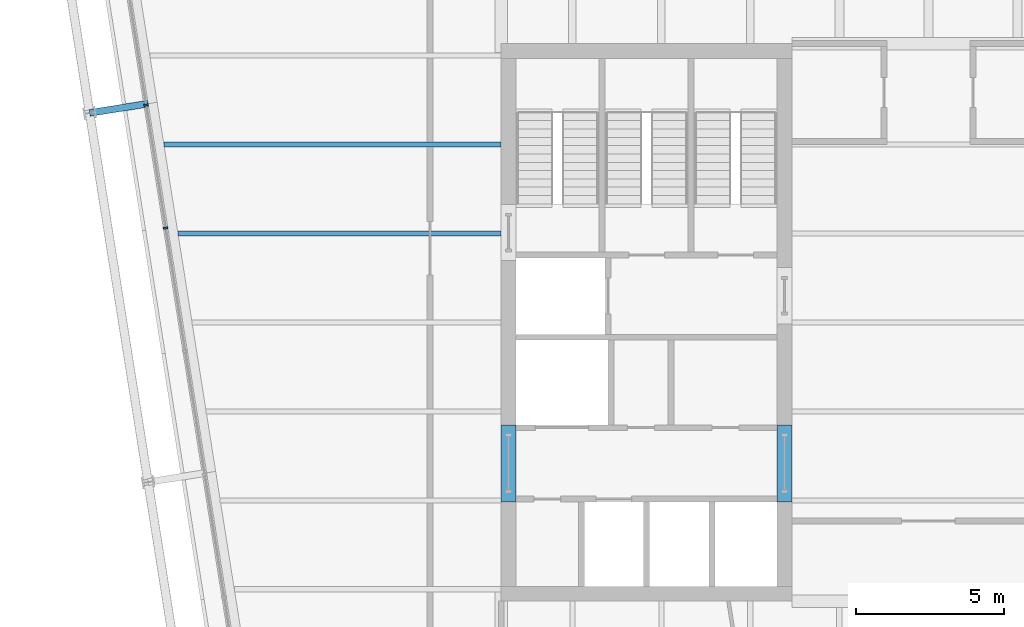
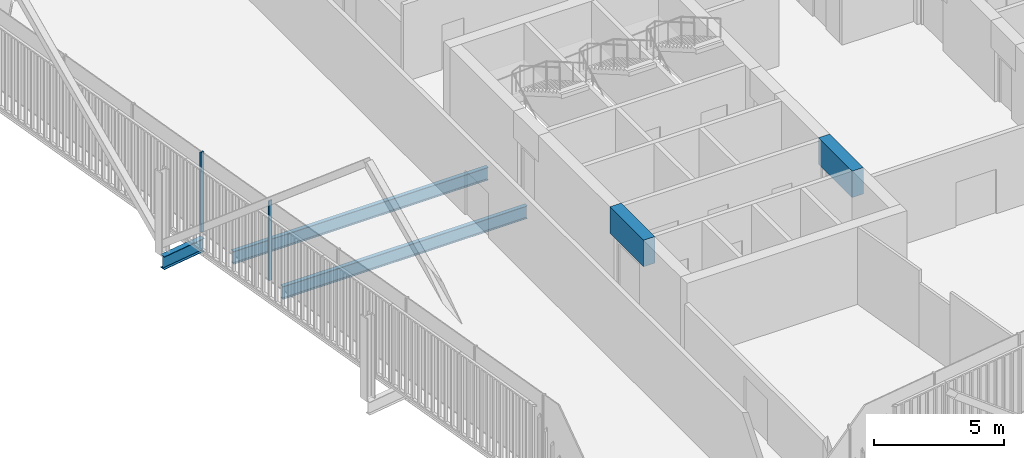
# One storey, part 7 of 21: 5 beams, 2 members, 1 element without a shape of its own.
"""IFC4 building model written with IfcOpenShell, lengths in metres."""

from ifc_helpers import new_model, si_unit, direction, frame, origin, origin_2d, place, context, subcontext, project, spatial, rectangle, i_section, extrude, material, layer, layer_set, material_profile, profile_set, type_object, element, aggregate, save


model = new_model("IFC4")

# Units and contexts
model_context = context("Model", 3, precision=1e-05, world=origin(), true_north=direction((0.0, 1.0)))
body_context = subcontext(model_context, "Body", "Model", "MODEL_VIEW")
ifc_project = project(units=[si_unit("LENGTHUNIT", "METRE"), si_unit("AREAUNIT", "SQUARE_METRE"), si_unit("VOLUMEUNIT", "CUBIC_METRE"), si_unit("PLANEANGLEUNIT", "RADIAN"), si_unit("MASSUNIT", "GRAM", prefix="KILO")], contexts=[model_context])

# Site, building, storey
site_placement = place(None, origin())
site = spatial("IfcSite", under=ifc_project, at=site_placement, CompositionType="ELEMENT")
building_placement = place(site_placement, origin())
building = spatial("IfcBuilding", under=site, at=building_placement, Name="Millrace Tower", CompositionType="ELEMENT")
storey_placement = place(building_placement, frame((0.0, 0.0, 235.89990234375)))
storey = spatial("IfcBuildingStorey", under=building, at=storey_placement, Name="L54", CompositionType="ELEMENT", Elevation=235.89990234375)

# Curtain wall, members
ifc_material_1 = material(Name="Aluminium and glass", Category="aluminium")
ifc_layer = layer(ifc_material_1, 0.14990234375)
ifc_layer_set = layer_set([ifc_layer], Name="Aluminium and glass")
curtain_wall_type = type_object("IfcCurtainWallType", Name="CW-1 office vision curtain wall", PredefinedType="NOTDEFINED", material=ifc_layer_set)
curtain_wall_placement = place(storey_placement, origin())
curtain_wall = element("IfcCurtainWall", 1, at=curtain_wall_placement, inside=storey, type_object=curtain_wall_type, Name="Curtain wall D-F08 L54", PredefinedType="NOTDEFINED")
ifc_material_2 = material(Name="Aluminium", Category="aluminium")
ifc_material_profile_1 = material_profile(ifc_material_2, rectangle(XDim=0.06494140625, YDim=0.14990234375, at=origin_2d()))
ifc_profile_set_1 = profile_set([ifc_material_profile_1], Name="Aluminium")
member_type = type_object("IfcMemberType", Name="CW-1 office vision curtain wall mullion", PredefinedType="MULLION", material=ifc_profile_set_1)
member_1_placement = place(storey_placement, frame((-26.371337890625, 7.33056640625, 0.14013671875), z_axis=(0.0, 0.0, 1.0), x_axis=(0.156434471884, -0.987688339511, 0.0)))
member_1 = element("IfcMember", 2, at=member_1_placement, type_object=member_type, Name="CW1 mullion D-F08.4", PredefinedType="MULLION", context=body_context, shape_type="SweptSolid", body=[
    extrude(rectangle(XDim=0.06494140625, YDim=0.14990234375, at=origin_2d()), origin(), (0.0, 0.0, 1.0), 3.760009765625),
])
member_2_placement = place(storey_placement, frame((-25.71435546875, 3.182373046875, 0.14013671875), z_axis=(0.0, 0.0, 1.0), x_axis=(0.156434471884, -0.987688339511, 0.0)))
member_2 = element("IfcMember", 3, at=member_2_placement, type_object=member_type, Name="CW1 mullion D-F08.5", PredefinedType="MULLION", context=body_context, shape_type="SweptSolid", body=[
    extrude(rectangle(XDim=0.06494140625, YDim=0.14990234375, at=origin_2d()), origin(), (0.0, 0.0, 1.0), 3.760009765625),
])
aggregate(curtain_wall, [member_1, member_2])

# Beams
ifc_material_3 = material(Name="Concrete C60", Category="concrete")
ifc_material_profile_2 = material_profile(ifc_material_3, rectangle(XDim=0.5, YDim=1.25, at=origin_2d()))
ifc_profile_set_2 = profile_set([ifc_material_profile_2], Name="Concrete C60")
beam_type_1 = type_object("IfcBeamType", Name="Coupling beam 500 x 1250 Concrete C60, 2000 opening", PredefinedType="BEAM", material=ifc_profile_set_2)
for number, where, z_axis, x_axis, name in (
    (4, (-14.14990234375, -6.050048828125, 3.025146484375), (0.0, 1.0, 0.0), (-1.0, 0.0, 0.0), "Coupling beam W L54"),
    (5, (-4.85009765625, -6.050048828125, 3.025146484375), (0.0, 1.0, 0.0), (-1.0, 0.0, 0.0), "Coupling beam W L54"),
):
    element("IfcBeam", number, at=place(storey_placement, frame(where, z_axis=z_axis, x_axis=x_axis)), inside=storey, type_object=beam_type_1, Name=name, PredefinedType="BEAM", context=body_context, shape_type="SweptSolid", body=[
        extrude(rectangle(XDim=0.5, YDim=1.25, at=origin_2d()), origin(), (0.0, 0.0, 1.0), 2.60009765625),
    ])
ifc_material_4 = material(Name="Steel ASTM A992 Grade 50", Category="steel")
ifc_material_profile_3 = material_profile(ifc_material_4, i_section(OverallWidth=0.1787109375, OverallDepth=0.60205078125, WebThickness=0.010986328125, FlangeThickness=0.014892578125, FilletRadius=0.0126953125, at=origin_2d()))
ifc_profile_set_3 = profile_set([ifc_material_profile_3], Name="Steel ASTM A992 Grade 50")
beam_type_2 = type_object("IfcBeamType", Name="Floor beam W24x62", PredefinedType="JOIST", material=ifc_profile_set_3)
beam_1_placement = place(storey_placement, frame((-25.29833984375, 3.0, -0.4609375), z_axis=(1.0, 0.0, 0.0), x_axis=(0.0, 1.0, 0.0)))
element("IfcBeam", 6, at=beam_1_placement, inside=storey, type_object=beam_type_2, Name="BM-D-L54-S1-S018", PredefinedType="JOIST", context=body_context, shape_type="SweptSolid", body=[
    extrude(i_section(OverallWidth=0.1787109375, OverallDepth=0.60205078125, WebThickness=0.010986328125, FlangeThickness=0.014892578125, FilletRadius=0.0126953125, at=origin_2d()), origin(), (0.0, 0.0, 1.0), 10.8984375),
])
beam_2_placement = place(storey_placement, frame((-25.7734375, 6.0, -0.4609375), z_axis=(1.0, 0.0, 0.0), x_axis=(0.0, 1.0, 0.0)))
element("IfcBeam", 7, at=beam_2_placement, inside=storey, type_object=beam_type_2, Name="BM-D-L54-S1-S021", PredefinedType="JOIST", context=body_context, shape_type="SweptSolid", body=[
    extrude(i_section(OverallWidth=0.1787109375, OverallDepth=0.60205078125, WebThickness=0.010986328125, FlangeThickness=0.014892578125, FilletRadius=0.0126953125, at=origin_2d()), origin(), (0.0, 0.0, 1.0), 11.37353515625),
])
ifc_material_5 = material(Name="Steel ASTM A992 Grade 50", Category="steel")
ifc_material_profile_4 = material_profile(ifc_material_5, i_section(OverallWidth=0.23046875, OverallDepth=0.6171875, WebThickness=0.01318359375, FlangeThickness=0.022216796875, FilletRadius=0.012939453125, at=origin_2d()))
ifc_profile_set_4 = profile_set([ifc_material_profile_4], Name="Steel ASTM A992 Grade 50")
beam_type_3 = type_object("IfcBeamType", Name="Link beam W24x94", PredefinedType="BEAM", material=ifc_profile_set_4)
beam_3_placement = place(storey_placement, frame((-26.302490234375, 7.37451171875, -0.468505859375), z_axis=(-0.987678691416, -0.156495375404, 0.0), x_axis=(0.156495375404, -0.987678691416, 0.0)))
element("IfcBeam", 8, at=beam_3_placement, inside=storey, type_object=beam_type_3, Name="LNK-D-L54-S1-03", PredefinedType="BEAM", context=body_context, shape_type="SweptSolid", body=[
    extrude(i_section(OverallWidth=0.23046875, OverallDepth=0.6171875, WebThickness=0.01318359375, FlangeThickness=0.022216796875, FilletRadius=0.012939453125, at=origin_2d()), origin(), (0.0, 0.0, 1.0), 2.0),
])

save(model, "model.ifc")
